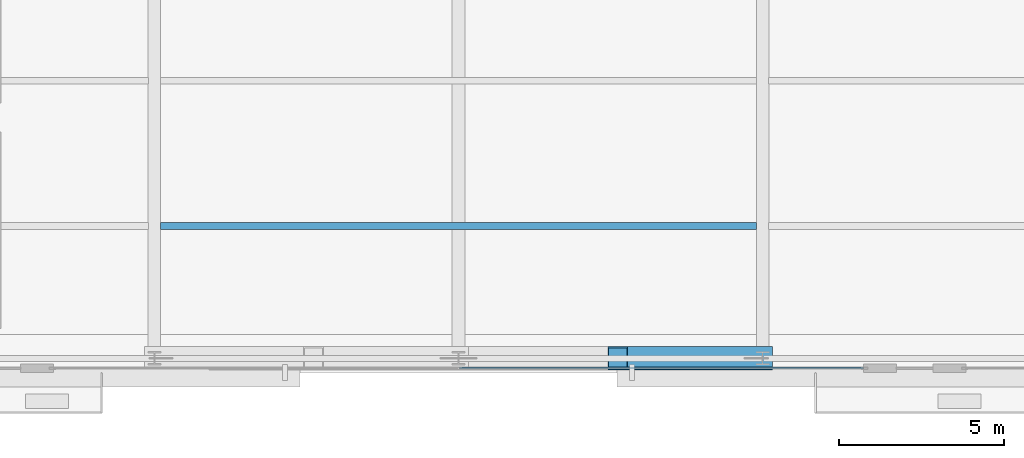
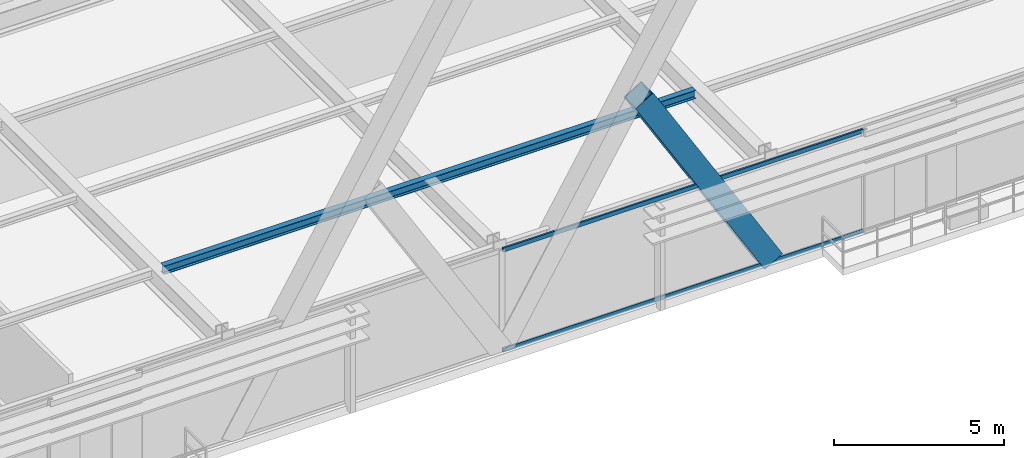
# One storey, part 12 of 34: 3 members, 1 beam, 1 element without a shape of its own.
"""IFC4 building model written with IfcOpenShell, lengths in metres."""

from ifc_helpers import new_model, si_unit, direction, frame, origin, origin_2d, place, context, subcontext, project, spatial, hollow_rectangle, i_section, extrude, source, transform, mapped, material, layer, layer_set, material_profile, profile_set, type_object, type_shapes, element, aggregate, save


model = new_model("IFC4")

# Units and contexts
model_context = context("Model", 3, precision=1e-05, world=origin(), true_north=direction((0.0, 1.0)))
body_context = subcontext(model_context, "Body", "Model", "MODEL_VIEW")
ifc_project = project(units=[si_unit("LENGTHUNIT", "METRE"), si_unit("AREAUNIT", "SQUARE_METRE"), si_unit("VOLUMEUNIT", "CUBIC_METRE"), si_unit("PLANEANGLEUNIT", "RADIAN"), si_unit("MASSUNIT", "GRAM", prefix="KILO")], contexts=[model_context])

# Site, building, storey
site_placement = place(None, origin())
site = spatial("IfcSite", under=ifc_project, at=site_placement, CompositionType="ELEMENT")
building_placement = place(site_placement, origin())
building = spatial("IfcBuilding", under=site, at=building_placement, Name="Varnel Quay Broadcast Tower", CompositionType="ELEMENT")
storey_placement = place(building_placement, frame((0.0, 0.0, 27.60009765625)))
storey = spatial("IfcBuildingStorey", under=building, at=storey_placement, Name="L05", CompositionType="ELEMENT", Elevation=27.60009765625)

# Beam
ifc_material_1 = material(Name="Structural Steel CSA G40.21 350W", Category="steel")
ifc_material_profile_1 = material_profile(ifc_material_1, i_section(OverallWidth=0.202880859375, OverallDepth=0.302978515625, WebThickness=0.007568359375, FlangeThickness=0.01318359375, FilletRadius=0.011962890625, at=origin_2d()), Name="W310X60")
ifc_profile_set_1 = profile_set([ifc_material_profile_1], Name="Structural Steel CSA G40.21 350W")
beam_type = type_object("IfcBeamType", Name="Beam_W310X60", PredefinedType="JOIST", material=ifc_profile_set_1)
shared_shape_1 = source(origin(), body_context, "Body", "SweptSolid", [
    extrude(i_section(OverallWidth=0.202880859375, OverallDepth=0.302978515625, WebThickness=0.007568359375, FlangeThickness=0.01318359375, FilletRadius=0.011962890625, at=origin_2d()), origin(), (0.0, 0.0, 1.0), 18.02880859375),
])
type_shapes(beam_type, [shared_shape_1])
beam_placement = place(storey_placement, frame((24.985595703125, 5.64990234375, 3.498291015625), z_axis=(1.0, 0.0, 0.0), x_axis=(0.0, 1.0, 0.0)))
element("IfcBeam", 1, at=beam_placement, inside=storey, type_object=beam_type, Name="L05 Central Floor Joist 1", PredefinedType="JOIST", context=body_context, shape_type="MappedRepresentation", body=[
    mapped(shared_shape_1, transform((0.0, 0.0, 0.0), x_axis=(1.0, 0.0, 0.0), y_axis=(0.0, 1.0, 0.0), z_axis=(0.0, 0.0, 1.0), scale=1.0)),
])

# Member
ifc_material_2 = material(Name="Structural Steel CSA G40.21 350WT", Category="steel")
ifc_material_profile_2 = material_profile(ifc_material_2, hollow_rectangle(XDim=0.699951171875, YDim=0.699951171875, WallThickness=0.031982421875, at=origin_2d()), Name="BOX700X700X32")
ifc_profile_set_2 = profile_set([ifc_material_profile_2], Name="Structural Steel CSA G40.21 350WT")
member_type_1 = type_object("IfcMemberType", Name="Brace_BOX700X700X32", PredefinedType="BRACE", material=ifc_profile_set_2)
shared_shape_2 = source(origin(), body_context, "Body", "SweptSolid", [
    extrude(hollow_rectangle(XDim=0.699951171875, YDim=0.699951171875, WallThickness=0.031982421875, at=origin_2d()), origin(), (0.0, 0.0, 1.0), 8.50927734375),
])
type_shapes(member_type_1, [shared_shape_2])
member_1_placement = place(storey_placement, frame((43.199951171875, 1.64990234375, 0.02001953125), z_axis=(-0.515065247535, 0.0, 0.857150973156), x_axis=(0.0, -1.0, 0.0)))
element("IfcMember", 2, at=member_1_placement, inside=storey, type_object=member_type_1, Name="Zone 1 Mega-Brace S-C2T1 Split Diag B1", PredefinedType="BRACE", context=body_context, shape_type="MappedRepresentation", body=[
    mapped(shared_shape_2, transform((0.0, 0.0, 0.0), x_axis=(1.0, 0.0, 0.0), y_axis=(0.0, 1.0, 0.0), z_axis=(0.0, 0.0, 1.0), scale=1.0)),
])

# Curtain wall, members
ifc_material_3 = material(Name="Anodised Bronze Aluminium 6063-T6", Category="aluminium")
ifc_layer = layer(ifc_material_3, 0.18994140625, Name="Anodised Bronze Aluminium 6063-T6")
ifc_layer_set = layer_set([ifc_layer], Name="Anodised Bronze Aluminium 6063-T6")
curtain_wall_type = type_object("IfcCurtainWallType", Name="CW_LowerTower", PredefinedType="NOTDEFINED", material=ifc_layer_set)
curtain_wall_placement = place(storey_placement, origin())
curtain_wall = element("IfcCurtainWall", 3, at=curtain_wall_placement, inside=storey, type_object=curtain_wall_type, Name="L05 South Unitised Curtain Wall 2", PredefinedType="NOTDEFINED")
ifc_material_profile_3 = material_profile(ifc_material_3, hollow_rectangle(XDim=0.06005859375, YDim=0.14501953125, WallThickness=0.00341796875, at=origin_2d()), Name="ALU60X145X3.5")
ifc_profile_set_3 = profile_set([ifc_material_profile_3], Name="Anodised Bronze Aluminium 6063-T6")
member_type_2 = type_object("IfcMemberType", Name="Tran_CWS-02", PredefinedType="USERDEFINED", material=ifc_profile_set_3)
shared_shape_3 = source(origin(), body_context, "Body", "SweptSolid", [
    extrude(hollow_rectangle(XDim=0.06005859375, YDim=0.14501953125, WallThickness=0.00341796875, at=origin_2d()), origin(), (0.0, 0.0, 1.0), 12.215087890625),
])
type_shapes(member_type_2, [shared_shape_3])
member_2_placement = place(storey_placement, frame((34.034912109375, 1.35009765625, 0.02978515625), z_axis=(1.0, 0.0, 0.0), x_axis=(0.0, 1.0, 0.0)))
member_2 = element("IfcMember", 4, at=member_2_placement, type_object=member_type_2, Name="CWS-02 transom 2.1", ObjectType="TRANSOM", PredefinedType="USERDEFINED", context=body_context, shape_type="MappedRepresentation", body=[
    mapped(shared_shape_3, transform((0.0, 0.0, 0.0), x_axis=(1.0, 0.0, 0.0), y_axis=(0.0, 1.0, 0.0), z_axis=(0.0, 0.0, 1.0), scale=1.0)),
])
member_3_placement = place(storey_placement, frame((34.034912109375, 1.35009765625, 3.619873046875), z_axis=(1.0, 0.0, 0.0), x_axis=(0.0, 1.0, 0.0)))
member_3 = element("IfcMember", 5, at=member_3_placement, type_object=member_type_2, Name="CWS-02 transom 2.2", ObjectType="TRANSOM", PredefinedType="USERDEFINED", context=body_context, shape_type="MappedRepresentation", body=[
    mapped(shared_shape_3, transform((0.0, 0.0, 0.0), x_axis=(1.0, 0.0, 0.0), y_axis=(0.0, 1.0, 0.0), z_axis=(0.0, 0.0, 1.0), scale=1.0)),
])
aggregate(curtain_wall, [member_2, member_3])

save(model, "model.ifc")
